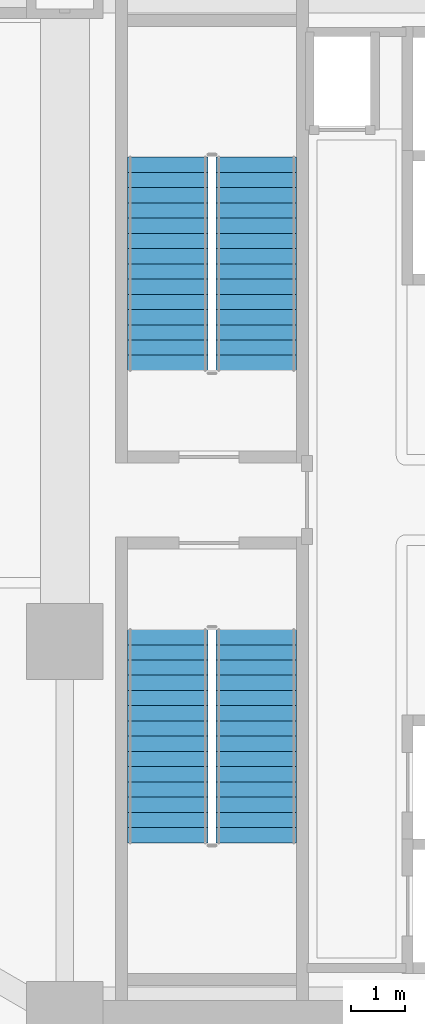
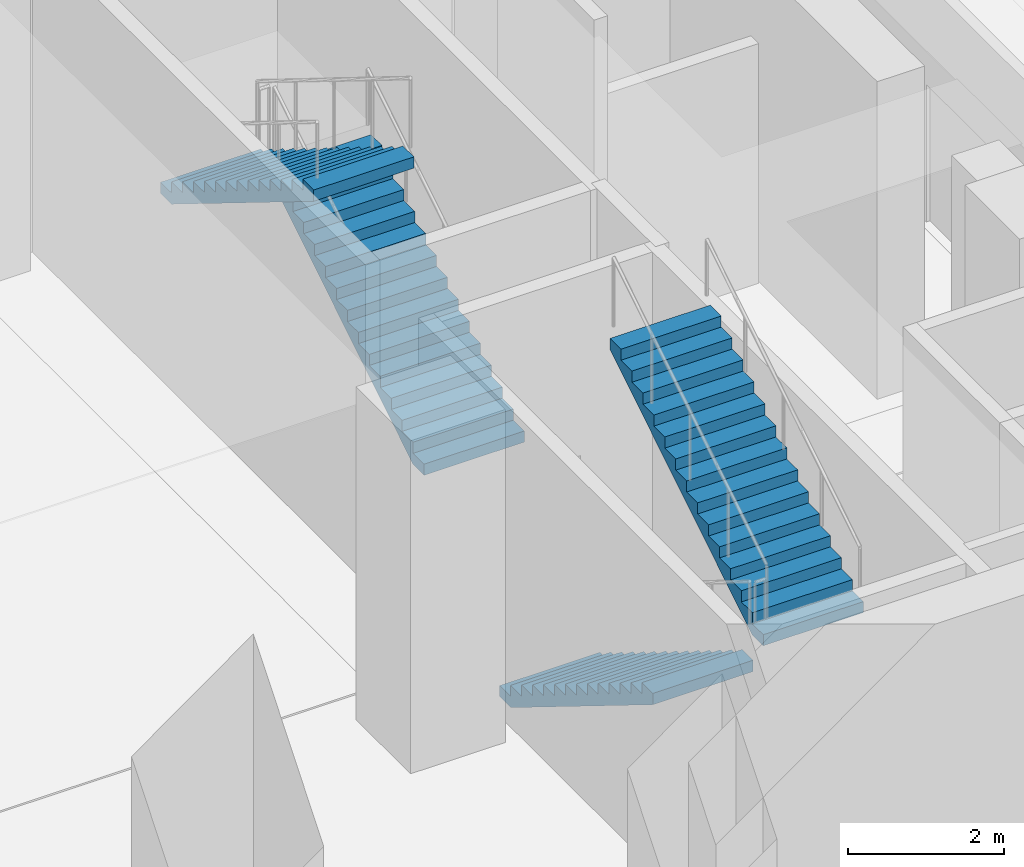
# One storey, part 30 of 41: 4 stair flights, 2 elements without a shape of their own.
"""IFC4 building model written with IfcOpenShell, lengths in metres."""

from ifc_helpers import new_model, si_unit, direction, frame, origin, place, context, subcontext, project, spatial, polyline, outline, extrude, material, type_object, element, aggregate, save


model = new_model("IFC4")

# Units and contexts
model_context = context("Model", 3, precision=1e-05, world=origin(), true_north=direction((0.0, 1.0)))
body_context = subcontext(model_context, "Body", "Model", "MODEL_VIEW")
ifc_project = project(units=[si_unit("LENGTHUNIT", "METRE"), si_unit("AREAUNIT", "SQUARE_METRE"), si_unit("VOLUMEUNIT", "CUBIC_METRE"), si_unit("PLANEANGLEUNIT", "RADIAN"), si_unit("MASSUNIT", "GRAM", prefix="KILO")], contexts=[model_context])

# Site, building, storey
site_placement = place(None, origin())
site = spatial("IfcSite", under=ifc_project, at=site_placement, CompositionType="ELEMENT")
building_placement = place(site_placement, origin())
building = spatial("IfcBuilding", under=site, at=building_placement, Name="Valdorenza Pilgrim Sanctuary Tower", CompositionType="ELEMENT")
storey_placement = place(building_placement, frame((0.0, 0.0, 20.800048828125)))
storey = spatial("IfcBuildingStorey", under=building, at=storey_placement, Name="L04", CompositionType="ELEMENT", Elevation=20.800048828125)

# Stair, stair flights
ifc_material = material(Name="Concrete C40/50", Category="concrete")
stair_type = type_object("IfcStairType", Name="STR-DOG-CORE", PredefinedType="HALF_TURN_STAIR", material=ifc_material)
stair_1_placement = place(storey_placement, origin())
stair_1 = element("IfcStair", 1, at=stair_1_placement, inside=storey, type_object=stair_type, Name="L04 ST-B1", PredefinedType="HALF_TURN_STAIR")
stair_flight_type = type_object("IfcStairFlightType", Name="STF-RC-1400", PredefinedType="STRAIGHT", material=ifc_material)
stair_flight_1_placement = place(storey_placement, frame((19.3701171875, 2.3798828125, 0.0), z_axis=(0.0, 0.0, 1.0), x_axis=(0.0, 1.0, 0.0)))
stair_flight_1 = element("IfcStairFlight", 2, at=stair_flight_1_placement, type_object=stair_flight_type, Name="ST-B1 flight 1", NumberOfRisers=15, NumberOfTreads=14, PredefinedType="STRAIGHT", RiserHeight=0.173333333, TreadLength=0.28, context=body_context, shape_type="SweptSolid", body=[
    extrude(outline(polyline([(0.0, 0.0), (0.0, 0.17333984375), (0.280029296875, 0.17333984375), (0.280029296875, 0.3466796875), (0.56005859375, 0.3466796875), (0.56005859375, 0.52001953125), (0.840087890625, 0.52001953125), (0.840087890625, 0.693359375), (1.1201171875, 0.693359375), (1.1201171875, 0.86669921875), (1.39990234375, 0.86669921875), (1.39990234375, 1.0400390625), (1.679931640625, 1.0400390625), (1.679931640625, 1.21337890625), (1.9599609375, 1.21337890625), (1.9599609375, 1.38671875), (2.239990234375, 1.38671875), (2.239990234375, 1.56005859375), (2.52001953125, 1.56005859375), (2.52001953125, 1.7333984375), (2.800048828125, 1.7333984375), (2.800048828125, 1.90673828125), (3.080078125, 1.90673828125), (3.080078125, 2.080078125), (3.360107421875, 2.080078125), (3.360107421875, 2.25341796875), (3.639892578125, 2.25341796875), (3.639892578125, 2.4267578125), (3.919921875, 2.4267578125), (3.919921875, 2.60009765625), (3.919921875, 2.250244140625), (0.284912109375, 0.0), (0.0, 0.0)])), frame((0.0, 0.739990234375, 0.0), z_axis=(0.0, -1.0, 0.0), x_axis=(1.0, 0.0, 0.0)), (0.0, 0.0, 1.0), 1.47998046875),
])
stair_flight_2_placement = place(storey_placement, frame((17.739990234375, 6.300048828125, 2.599853515625), z_axis=(0.0, 0.0, 1.0), x_axis=(0.0, -1.0, 0.0)))
stair_flight_2 = element("IfcStairFlight", 3, at=stair_flight_2_placement, type_object=stair_flight_type, Name="ST-B1 flight 2", NumberOfRisers=15, NumberOfTreads=14, PredefinedType="STRAIGHT", RiserHeight=0.173333333, TreadLength=0.28, context=body_context, shape_type="SweptSolid", body=[
    extrude(outline(polyline([(0.0, 0.0), (0.0, 0.17333984375), (0.280029296875, 0.17333984375), (0.280029296875, 0.3466796875), (0.56005859375, 0.3466796875), (0.56005859375, 0.52001953125), (0.840087890625, 0.52001953125), (0.840087890625, 0.693359375), (1.1201171875, 0.693359375), (1.1201171875, 0.86669921875), (1.39990234375, 0.86669921875), (1.39990234375, 1.0400390625), (1.679931640625, 1.0400390625), (1.679931640625, 1.21337890625), (1.9599609375, 1.21337890625), (1.9599609375, 1.38671875), (2.239990234375, 1.38671875), (2.239990234375, 1.56005859375), (2.52001953125, 1.56005859375), (2.52001953125, 1.7333984375), (2.800048828125, 1.7333984375), (2.800048828125, 1.90673828125), (3.080078125, 1.90673828125), (3.080078125, 2.080078125), (3.360107421875, 2.080078125), (3.360107421875, 2.25341796875), (3.639892578125, 2.25341796875), (3.639892578125, 2.4267578125), (3.919921875, 2.4267578125), (3.919921875, 2.60009765625), (3.919921875, 2.250244140625), (0.284912109375, 0.0), (0.0, 0.0)])), frame((0.0, 0.739990234375, 0.0), z_axis=(0.0, -1.0, 0.0), x_axis=(1.0, 0.0, 0.0)), (0.0, 0.0, 1.0), 1.47998046875),
])
aggregate(stair_1, [stair_flight_1, stair_flight_2])

stair_2_placement = place(storey_placement, origin())
stair_2 = element("IfcStair", 4, at=stair_2_placement, inside=storey, type_object=stair_type, Name="L04 ST-B2", PredefinedType="HALF_TURN_STAIR")
stair_flight_3_placement = place(storey_placement, frame((17.739990234375, -2.3798828125, 0.0), z_axis=(0.0, 0.0, 1.0), x_axis=(0.0, -1.0, 0.0)))
stair_flight_3 = element("IfcStairFlight", 5, at=stair_flight_3_placement, type_object=stair_flight_type, Name="ST-B2 flight 1", NumberOfRisers=15, NumberOfTreads=14, PredefinedType="STRAIGHT", RiserHeight=0.173333333, TreadLength=0.28, context=body_context, shape_type="SweptSolid", body=[
    extrude(outline(polyline([(0.0, 0.0), (0.0, 0.17333984375), (0.280029296875, 0.17333984375), (0.280029296875, 0.3466796875), (0.56005859375, 0.3466796875), (0.56005859375, 0.52001953125), (0.840087890625, 0.52001953125), (0.840087890625, 0.693359375), (1.1201171875, 0.693359375), (1.1201171875, 0.86669921875), (1.39990234375, 0.86669921875), (1.39990234375, 1.0400390625), (1.679931640625, 1.0400390625), (1.679931640625, 1.21337890625), (1.9599609375, 1.21337890625), (1.9599609375, 1.38671875), (2.239990234375, 1.38671875), (2.239990234375, 1.56005859375), (2.52001953125, 1.56005859375), (2.52001953125, 1.7333984375), (2.800048828125, 1.7333984375), (2.800048828125, 1.90673828125), (3.080078125, 1.90673828125), (3.080078125, 2.080078125), (3.360107421875, 2.080078125), (3.360107421875, 2.25341796875), (3.639892578125, 2.25341796875), (3.639892578125, 2.4267578125), (3.919921875, 2.4267578125), (3.919921875, 2.60009765625), (3.919921875, 2.250244140625), (0.284912109375, 0.0), (0.0, 0.0)])), frame((0.0, 0.739990234375, 0.0), z_axis=(0.0, -1.0, 0.0), x_axis=(1.0, 0.0, 0.0)), (0.0, 0.0, 1.0), 1.47998046875),
])
stair_flight_4_placement = place(storey_placement, frame((19.3701171875, -6.300048828125, 2.599853515625), z_axis=(0.0, 0.0, 1.0), x_axis=(0.0, 1.0, 0.0)))
stair_flight_4 = element("IfcStairFlight", 6, at=stair_flight_4_placement, type_object=stair_flight_type, Name="ST-B2 flight 2", NumberOfRisers=15, NumberOfTreads=14, PredefinedType="STRAIGHT", RiserHeight=0.173333333, TreadLength=0.28, context=body_context, shape_type="SweptSolid", body=[
    extrude(outline(polyline([(0.0, 0.0), (0.0, 0.17333984375), (0.280029296875, 0.17333984375), (0.280029296875, 0.3466796875), (0.56005859375, 0.3466796875), (0.56005859375, 0.52001953125), (0.840087890625, 0.52001953125), (0.840087890625, 0.693359375), (1.1201171875, 0.693359375), (1.1201171875, 0.86669921875), (1.39990234375, 0.86669921875), (1.39990234375, 1.0400390625), (1.679931640625, 1.0400390625), (1.679931640625, 1.21337890625), (1.9599609375, 1.21337890625), (1.9599609375, 1.38671875), (2.239990234375, 1.38671875), (2.239990234375, 1.56005859375), (2.52001953125, 1.56005859375), (2.52001953125, 1.7333984375), (2.800048828125, 1.7333984375), (2.800048828125, 1.90673828125), (3.080078125, 1.90673828125), (3.080078125, 2.080078125), (3.360107421875, 2.080078125), (3.360107421875, 2.25341796875), (3.639892578125, 2.25341796875), (3.639892578125, 2.4267578125), (3.919921875, 2.4267578125), (3.919921875, 2.60009765625), (3.919921875, 2.250244140625), (0.284912109375, 0.0), (0.0, 0.0)])), frame((0.0, 0.739990234375, 0.0), z_axis=(0.0, -1.0, 0.0), x_axis=(1.0, 0.0, 0.0)), (0.0, 0.0, 1.0), 1.47998046875),
])
aggregate(stair_2, [stair_flight_3, stair_flight_4])

save(model, "model.ifc")
